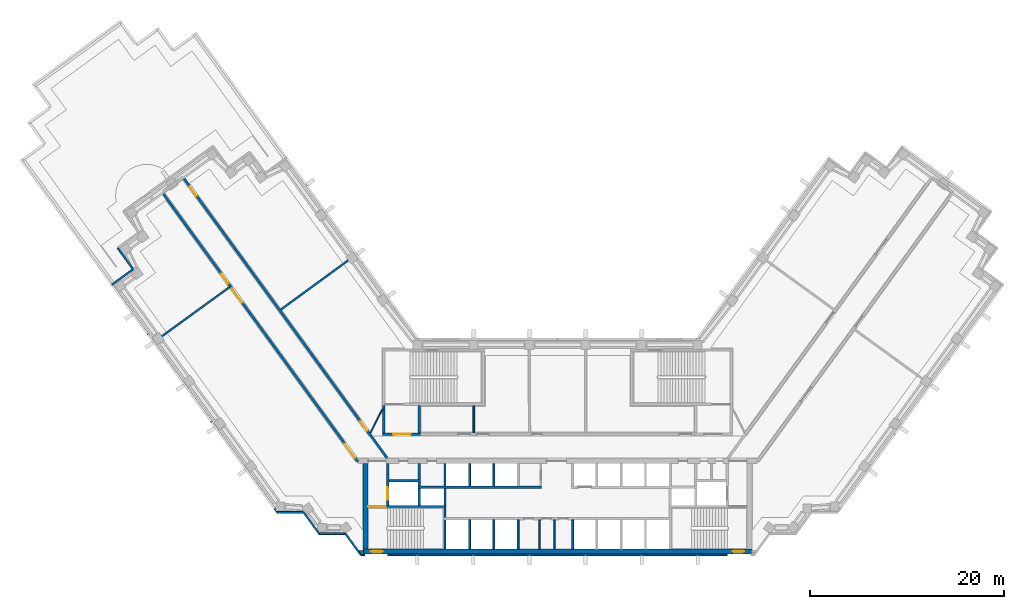
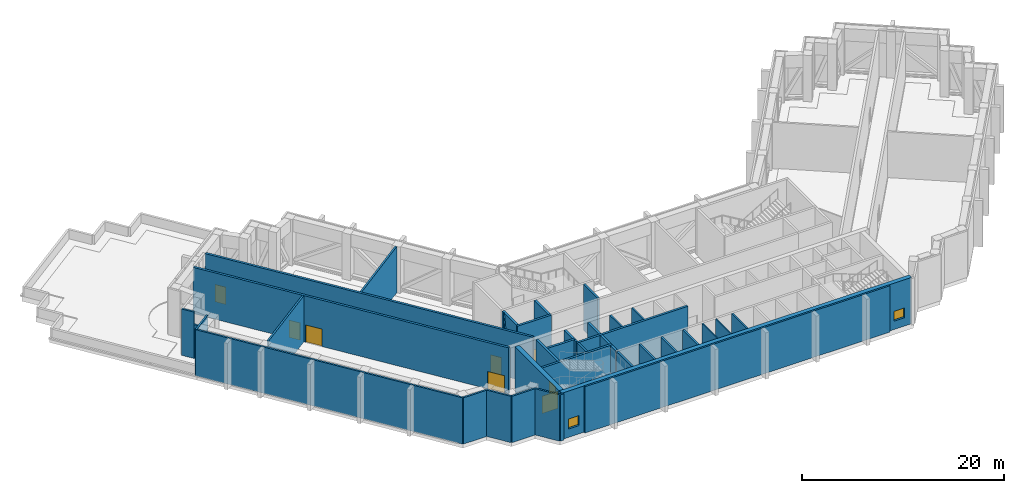
# One storey, part 9 of 16: 41 walls, 8 doors, 2 windows, 10 openings.
"""IFC4 building model written with IfcOpenShell, lengths in metres."""

from ifc_helpers import new_model, si_unit, direction, frame, frame_2d, origin, place, context, subcontext, project, spatial, rectangle, extrude, material, layer, layer_set, type_object, element, fill, save


model = new_model("IFC4")

# Units and contexts
model_context = context("Model", 3, precision=1e-05, world=origin(), true_north=direction((0.0, 1.0)))
body_context = subcontext(model_context, "Body", "Model", "MODEL_VIEW")
ifc_project = project(units=[si_unit("LENGTHUNIT", "METRE"), si_unit("AREAUNIT", "SQUARE_METRE"), si_unit("VOLUMEUNIT", "CUBIC_METRE"), si_unit("PLANEANGLEUNIT", "RADIAN"), si_unit("MASSUNIT", "GRAM", prefix="KILO")], contexts=[model_context])

# Site, building, storey
site_placement = place(None, origin())
site = spatial("IfcSite", under=ifc_project, at=site_placement, CompositionType="ELEMENT")
building_placement = place(site_placement, origin())
building = spatial("IfcBuilding", under=site, at=building_placement, Name="Quipu Civic Tower", CompositionType="ELEMENT")
storey_placement = place(building_placement, frame((0.0, 0.0, 133.0)))
storey = spatial("IfcBuildingStorey", under=building, at=storey_placement, Name="L31", CompositionType="ELEMENT", Elevation=133.0)

# Walls
ifc_material_1 = material(Name="Fired clay blockwork", Category="masonry")
ifc_layer_1 = layer(ifc_material_1, 0.199951171875)
ifc_layer_set_1 = layer_set([ifc_layer_1], Name="Fired clay blockwork")
wall_type_1 = type_object("IfcWallType", Name="Blockwork wall 200", PredefinedType="SOLIDWALL", material=ifc_layer_set_1)
wall_1_placement = place(storey_placement, frame((-28.468994140625, 14.1240234375, 0.0), z_axis=(0.0, 0.0, 1.0), x_axis=(0.807513406154, 0.589849217074, 0.0)))
element("IfcWall", 1, at=wall_1_placement, inside=storey, type_object=wall_type_1, Name="Partition P02", PredefinedType="SOLIDWALL", context=body_context, shape_type="SweptSolid", body=[
    extrude(rectangle(XDim=8.59521484375, YDim=0.199951171875, at=frame_2d((4.297607421875, 0.0))), origin(), (0.0, 0.0, 1.0), 5.60009765625),
])
wall_2_placement = place(storey_placement, frame((-33.7373046875, 16.44091796875, 0.0), z_axis=(0.0, 0.0, 1.0), x_axis=(-0.80896572488, -0.587855812227, 0.0)))
element("IfcWall", 2, at=wall_2_placement, inside=storey, type_object=wall_type_1, Name="Partition P04", PredefinedType="SOLIDWALL", context=body_context, shape_type="SweptSolid", body=[
    extrude(rectangle(XDim=8.5947265625, YDim=0.199951171875, at=frame_2d((4.29736328125, 0.0))), origin(), (0.0, 0.0, 1.0), 5.60009765625),
])
wall_3_placement = place(storey_placement, frame((-8.616943359375, 4.25, 0.0), z_axis=(0.0, 0.0, 1.0), x_axis=(0.0, -1.0, 0.0)))
element("IfcWall", 3, at=wall_3_placement, inside=storey, type_object=wall_type_1, Name="Partition P05", PredefinedType="SOLIDWALL", context=body_context, shape_type="SweptSolid", body=[
    extrude(rectangle(XDim=2.800048828125, YDim=0.199951171875, at=frame_2d((1.39990234375, 0.0))), origin(), (0.0, 0.0, 1.0), 5.60009765625),
])
ifc_material_2 = material(Name="Concrete C70/85", Category="concrete")
ifc_layer_2 = layer(ifc_material_2, 0.25)
ifc_layer_set_2 = layer_set([ifc_layer_2], Name="Concrete C70/85")
wall_type_2 = type_object("IfcWallType", Name="Core wall 250", PredefinedType="SHEAR", material=ifc_layer_set_2)
wall_4_placement = place(storey_placement, frame((-11.574951171875, -10.5, 0.0), z_axis=(0.0, 0.0, 1.0), x_axis=(0.0, 1.0, 0.0)))
element("IfcWall", 4, at=wall_4_placement, inside=storey, type_object=wall_type_2, Name="Core wall", PredefinedType="SHEAR", context=body_context, shape_type="SweptSolid", body=[
    extrude(rectangle(XDim=3.0, YDim=0.25, at=frame_2d((1.5, 0.0))), origin(), (0.0, 0.0, 1.0), 5.60009765625),
])
wall_5_placement = place(storey_placement, frame((-11.574951171875, -7.25, 0.0), z_axis=(0.0, 0.0, 1.0), x_axis=(0.0, 1.0, 0.0)))
element("IfcWall", 5, at=wall_5_placement, inside=storey, type_object=wall_type_2, Name="Core wall", PredefinedType="SHEAR", context=body_context, shape_type="SweptSolid", body=[
    extrude(rectangle(XDim=1.0, YDim=0.25, at=frame_2d((0.5, 0.0))), origin(), (0.0, 0.0, 1.0), 5.60009765625),
])

# Wall, opening, door
wall_6_placement = place(storey_placement, frame((-11.449951171875, -6.125, 0.0), z_axis=(0.0, 0.0, 1.0), x_axis=(-1.0, 0.0, 0.0)))
wall_6 = element("IfcWall", 6, at=wall_6_placement, inside=storey, type_object=wall_type_2, Name="Core wall", PredefinedType="SHEAR", context=body_context, shape_type="SweptSolid", body=[
    extrude(rectangle(XDim=8.050048828125, YDim=0.25, at=frame_2d((4.02490234375, 0.0))), origin(), (0.0, 0.0, 1.0), 5.60009765625),
])
opening_1_placement = place(wall_6_placement, frame((6.199951171875, 0.0, 0.0)))
opening_1 = element("IfcOpeningElement", 7, at=opening_1_placement, cuts=wall_6, Name="Opening CD-04", PredefinedType="OPENING", context=body_context, shape_type="SweptSolid", body=[
    extrude(rectangle(XDim=1.800048828125, YDim=2.10009765625, at=frame_2d((0.89990234375, 1.050048828125))), frame((0.0, 0.135009765625, 0.0), z_axis=(0.0, -1.0, 0.0), x_axis=(1.0, 0.0, 0.0)), (0.0, 0.0, 1.0), 0.27001953125),
])
ifc_material_3 = material(Name="Fire rated steel door", Category="steel")
door_type_1 = type_object("IfcDoorType", Name="Fire door FD90 double 1800 x 2100", OperationType="NOTDEFINED", PredefinedType="DOOR", material=ifc_material_3)
door_1_placement = place(opening_1_placement, origin())
door_1 = element("IfcDoor", 8, at=door_1_placement, inside=storey, type_object=door_type_1, Name="Door", OperationType="DOUBLE_DOOR_SINGLE_SWING", OverallHeight=2.10009765625, OverallWidth=1.800048828125, PredefinedType="DOOR", context=body_context, shape_type="SweptSolid", body=[
    extrude(rectangle(XDim=1.800048828125, YDim=2.10009765625, at=frame_2d((0.89990234375, 1.050048828125))), frame((0.0, 0.02490234375, 0.0), z_axis=(0.0, -1.0, 0.0), x_axis=(1.0, 0.0, 0.0)), (0.0, 0.0, 1.0), 0.050048828125),
])
fill(opening_1, door_1)

wall_7_placement = place(storey_placement, frame((-17.47509765625, -6.0, 0.0), z_axis=(0.0, 0.0, 1.0), x_axis=(0.0, 1.0, 0.0)))
wall_7 = element("IfcWall", 9, at=wall_7_placement, inside=storey, type_object=wall_type_2, Name="Core wall", PredefinedType="SHEAR", context=body_context, shape_type="SweptSolid", body=[
    extrude(rectangle(XDim=4.300048828125, YDim=0.25, at=frame_2d((2.14990234375, 0.0))), origin(), (0.0, 0.0, 1.0), 5.60009765625),
])
opening_2_placement = place(wall_7_placement, frame((0.550048828125, 0.0, 0.0)))
opening_2 = element("IfcOpeningElement", 10, at=opening_2_placement, cuts=wall_7, Name="Opening LD-FF1", PredefinedType="OPENING", context=body_context, shape_type="SweptSolid", body=[
    extrude(rectangle(XDim=1.300048828125, YDim=2.10009765625, at=frame_2d((0.64990234375, 1.050048828125))), frame((0.0, 0.135009765625, 0.0), z_axis=(0.0, -1.0, 0.0), x_axis=(1.0, 0.0, 0.0)), (0.0, 0.0, 1.0), 0.27001953125),
])
ifc_material_4 = material(Name="Stainless steel", Category="steel")
door_type_2 = type_object("IfcDoorType", Name="Lift landing door 1300 x 2100", OperationType="DOUBLE_DOOR_SLIDING", PredefinedType="DOOR", material=ifc_material_4)
door_2_placement = place(opening_2_placement, origin())
door_2 = element("IfcDoor", 11, at=door_2_placement, inside=storey, type_object=door_type_2, Name="Landing door FF1", OperationType="DOUBLE_DOOR_SLIDING", OverallHeight=2.10009765625, OverallWidth=1.300048828125, PredefinedType="DOOR", context=body_context, shape_type="SweptSolid", body=[
    extrude(rectangle(XDim=1.300048828125, YDim=2.10009765625, at=frame_2d((0.64990234375, 1.050048828125))), frame((0.0, 0.02490234375, 0.0), z_axis=(0.0, -1.0, 0.0), x_axis=(1.0, 0.0, 0.0)), (0.0, 0.0, 1.0), 0.050048828125),
])
fill(opening_2, door_2)

# Walls
for number, where, z_axis, x_axis, name in (
    (12, (-14.22509765625, -6.0, 0.0), (0.0, 0.0, 1.0), (0.0, 1.0, 0.0), "Core wall"),
    (13, (-11.574951171875, -6.0, 0.0), (0.0, 0.0, 1.0), (0.0, 1.0, 0.0), "Core wall"),
):
    element("IfcWall", number, at=place(storey_placement, frame(where, z_axis=z_axis, x_axis=x_axis)), inside=storey, type_object=wall_type_2, Name=name, PredefinedType="SHEAR", context=body_context, shape_type="SweptSolid", body=[
        extrude(rectangle(XDim=1.75, YDim=0.25, at=frame_2d((0.875, 0.0))), origin(), (0.0, 0.0, 1.0), 5.60009765625),
    ])
wall_8_placement = place(storey_placement, frame((-14.35009765625, -4.125, 0.0), z_axis=(0.0, 0.0, 1.0), x_axis=(1.0, 0.0, 0.0)))
element("IfcWall", 14, at=wall_8_placement, inside=storey, type_object=wall_type_2, Name="Core wall", PredefinedType="SHEAR", context=body_context, shape_type="SweptSolid", body=[
    extrude(rectangle(XDim=12.7001953125, YDim=0.25, at=frame_2d((6.35009765625, 0.0))), origin(), (0.0, 0.0, 1.0), 5.60009765625),
])
wall_9_placement = place(storey_placement, frame((-14.22509765625, -4.0, 0.0), z_axis=(0.0, 0.0, 1.0), x_axis=(0.0, 1.0, 0.0)))
element("IfcWall", 15, at=wall_9_placement, inside=storey, type_object=wall_type_2, Name="Core wall", PredefinedType="SHEAR", context=body_context, shape_type="SweptSolid", body=[
    extrude(rectangle(XDim=0.39990234375, YDim=0.25, at=frame_2d((0.199951171875, 0.0))), origin(), (0.0, 0.0, 1.0), 5.60009765625),
])
wall_10_placement = place(storey_placement, frame((-11.574951171875, -4.0, 0.0), z_axis=(0.0, 0.0, 1.0), x_axis=(0.0, 1.0, 0.0)))
element("IfcWall", 16, at=wall_10_placement, inside=storey, type_object=wall_type_2, Name="Core wall", PredefinedType="SHEAR", context=body_context, shape_type="SweptSolid", body=[
    extrude(rectangle(XDim=2.300048828125, YDim=0.25, at=frame_2d((1.14990234375, 0.0))), origin(), (0.0, 0.0, 1.0), 5.60009765625),
])
wall_11_placement = place(storey_placement, frame((-17.35009765625, -3.47509765625, 0.0), z_axis=(0.0, 0.0, 1.0), x_axis=(1.0, 0.0, 0.0)))
element("IfcWall", 17, at=wall_11_placement, inside=storey, type_object=wall_type_2, Name="Core wall", PredefinedType="SHEAR", context=body_context, shape_type="SweptSolid", body=[
    extrude(rectangle(XDim=3.25, YDim=0.25, at=frame_2d((1.625, 0.0))), origin(), (0.0, 0.0, 1.0), 5.60009765625),
])
wall_12_placement = place(storey_placement, frame((-14.22509765625, -3.35009765625, 0.0), z_axis=(0.0, 0.0, 1.0), x_axis=(0.0, 1.0, 0.0)))
element("IfcWall", 18, at=wall_12_placement, inside=storey, type_object=wall_type_2, Name="Core wall", PredefinedType="SHEAR", context=body_context, shape_type="SweptSolid", body=[
    extrude(rectangle(XDim=1.650146484375, YDim=0.25, at=frame_2d((0.8251953125, 0.0))), origin(), (0.0, 0.0, 1.0), 5.60009765625),
])

# Wall, opening, door
wall_13_placement = place(storey_placement, frame((-18.0, 1.324951171875, 0.0), z_axis=(0.0, 0.0, 1.0), x_axis=(1.0, 0.0, 0.0)))
wall_13 = element("IfcWall", 19, at=wall_13_placement, inside=storey, type_object=wall_type_2, Name="Core wall", PredefinedType="SHEAR", context=body_context, shape_type="SweptSolid", body=[
    extrude(rectangle(XDim=3.89990234375, YDim=0.25, at=frame_2d((1.949951171875, 0.0))), origin(), (0.0, 0.0, 1.0), 5.60009765625),
])
opening_3_placement = place(wall_13_placement, frame((1.10009765625, 0.0, 0.0)))
opening_3 = element("IfcOpeningElement", 20, at=opening_3_placement, cuts=wall_13, Name="Opening CD-15", PredefinedType="OPENING", context=body_context, shape_type="SweptSolid", body=[
    extrude(rectangle(XDim=1.800048828125, YDim=2.10009765625, at=frame_2d((0.89990234375, 1.050048828125))), frame((0.0, 0.135009765625, 0.0), z_axis=(0.0, -1.0, 0.0), x_axis=(1.0, 0.0, 0.0)), (0.0, 0.0, 1.0), 0.27001953125),
])
door_3_placement = place(opening_3_placement, origin())
door_3 = element("IfcDoor", 21, at=door_3_placement, inside=storey, type_object=door_type_1, Name="Lobby door", OperationType="DOUBLE_DOOR_SINGLE_SWING", OverallHeight=2.10009765625, OverallWidth=1.800048828125, PredefinedType="DOOR", context=body_context, shape_type="SweptSolid", body=[
    extrude(rectangle(XDim=1.800048828125, YDim=2.10009765625, at=frame_2d((0.89990234375, 1.050048828125))), frame((0.0, 0.02490234375, 0.0), z_axis=(0.0, -1.0, 0.0), x_axis=(1.0, 0.0, 0.0)), (0.0, 0.0, 1.0), 0.050048828125),
])
fill(opening_3, door_3)

# Walls
for number, where, z_axis, x_axis, name in (
    (22, (-17.875, 1.449951171875, 0.0), (0.0, 0.0, 1.0), (0.0, 1.0, 0.0), "Core wall"),
    (23, (-14.22509765625, 1.449951171875, 0.0), (0.0, 0.0, 1.0), (0.0, 1.0, 0.0), "Core wall"),
):
    element("IfcWall", number, at=place(storey_placement, frame(where, z_axis=z_axis, x_axis=x_axis)), inside=storey, type_object=wall_type_2, Name=name, PredefinedType="SHEAR", context=body_context, shape_type="SweptSolid", body=[
        extrude(rectangle(XDim=2.800048828125, YDim=0.25, at=frame_2d((1.39990234375, 0.0))), origin(), (0.0, 0.0, 1.0), 5.60009765625),
    ])

# Wall, openings, windows
ifc_material_5 = material(Name="Concrete C70/85", Category="concrete")
ifc_layer_3 = layer(ifc_material_5, 0.5)
ifc_layer_set_3 = layer_set([ifc_layer_3], Name="Concrete C70/85")
wall_type_3 = type_object("IfcWallType", Name="Core wall 500", PredefinedType="SHEAR", material=ifc_layer_set_3)
wall_14_placement = place(storey_placement, frame((-20.0, -10.75, 0.0), z_axis=(0.0, 0.0, 1.0), x_axis=(1.0, 0.0, 0.0)))
wall_14 = element("IfcWall", 24, at=wall_14_placement, inside=storey, type_object=wall_type_3, Name="Core wall", PredefinedType="SHEAR", context=body_context, shape_type="SweptSolid", body=[
    extrude(rectangle(XDim=40.0, YDim=0.5, at=frame_2d((20.0, 0.0))), origin(), (0.0, 0.0, 1.0), 5.60009765625),
])
opening_4_placement = place(wall_14_placement, frame((0.800048828125, 0.0, 1.0)))
opening_4 = element("IfcOpeningElement", 25, at=opening_4_placement, cuts=wall_14, Name="Opening SV-1", PredefinedType="OPENING", context=body_context, shape_type="SweptSolid", body=[
    extrude(rectangle(XDim=1.199951171875, YDim=1.199951171875, at=frame_2d((0.60009765625, 0.60009765625))), frame((0.0, 0.260009765625, 0.0), z_axis=(0.0, -1.0, 0.0), x_axis=(1.0, 0.0, 0.0)), (0.0, 0.0, 1.0), 0.52001953125),
])
opening_5_placement = place(wall_14_placement, frame((38.0, 0.0, 1.0)))
opening_5 = element("IfcOpeningElement", 26, at=opening_5_placement, cuts=wall_14, Name="Opening SV-2", PredefinedType="OPENING", context=body_context, shape_type="SweptSolid", body=[
    extrude(rectangle(XDim=1.199951171875, YDim=1.199951171875, at=frame_2d((0.60009765625, 0.60009765625))), frame((0.0, 0.260009765625, 0.0), z_axis=(0.0, -1.0, 0.0), x_axis=(1.0, 0.0, 0.0)), (0.0, 0.0, 1.0), 0.52001953125),
])
ifc_material_6 = material(Name="Aluminium louvre", Category="aluminium")
window_type = type_object("IfcWindowType", Name="Stair ventilation louvre 1200 x 1200", PartitioningType="SINGLE_PANEL", PredefinedType="WINDOW", material=ifc_material_6)
window_1_placement = place(opening_4_placement, origin())
window_1 = element("IfcWindow", 27, at=window_1_placement, inside=storey, type_object=window_type, Name="Stair ventilation opening", OverallHeight=1.199951171875, OverallWidth=1.199951171875, PartitioningType="SINGLE_PANEL", PredefinedType="WINDOW", context=body_context, shape_type="SweptSolid", body=[
    extrude(rectangle(XDim=1.199951171875, YDim=1.199951171875, at=frame_2d((0.60009765625, 0.60009765625))), frame((0.0, 0.030029296875, 0.0), z_axis=(0.0, -1.0, 0.0), x_axis=(1.0, 0.0, 0.0)), (0.0, 0.0, 1.0), 0.06005859375),
])
fill(opening_4, window_1)
window_2_placement = place(opening_5_placement, origin())
window_2 = element("IfcWindow", 28, at=window_2_placement, inside=storey, type_object=window_type, Name="Stair ventilation opening", OverallHeight=1.199951171875, OverallWidth=1.199951171875, PartitioningType="SINGLE_PANEL", PredefinedType="WINDOW", context=body_context, shape_type="SweptSolid", body=[
    extrude(rectangle(XDim=1.199951171875, YDim=1.199951171875, at=frame_2d((0.60009765625, 0.60009765625))), frame((0.0, 0.030029296875, 0.0), z_axis=(0.0, -1.0, 0.0), x_axis=(1.0, 0.0, 0.0)), (0.0, 0.0, 1.0), 0.06005859375),
])
fill(opening_5, window_2)

# Wall
wall_15_placement = place(storey_placement, frame((-19.75, -10.5, 0.0), z_axis=(0.0, 0.0, 1.0), x_axis=(0.0, 1.0, 0.0)))
element("IfcWall", 29, at=wall_15_placement, inside=storey, type_object=wall_type_3, Name="Core wall", PredefinedType="SHEAR", context=body_context, shape_type="SweptSolid", body=[
    extrude(rectangle(XDim=8.800048828125, YDim=0.5, at=frame_2d((4.39990234375, 0.0))), origin(), (0.0, 0.0, 1.0), 5.60009765625),
])

# Wall, openings, doors
ifc_material_7 = material(Name="Concrete C50/60", Category="concrete")
ifc_layer_4 = layer(ifc_material_7, 0.25)
ifc_layer_set_4 = layer_set([ifc_layer_4], Name="Concrete C50/60")
wall_type_4 = type_object("IfcWallType", Name="Corridor wall 250 concrete", PredefinedType="SOLIDWALL", material=ifc_layer_set_4)
wall_16_placement = place(storey_placement, frame((-20.531005859375, -1.5234375, 0.0), z_axis=(0.0, 0.0, 1.0), x_axis=(-0.587786778139, 0.80901588578, 0.0)))
wall_16 = element("IfcWall", 30, at=wall_16_placement, inside=storey, type_object=wall_type_4, Name="Corridor wall C03", PredefinedType="SOLIDWALL", context=body_context, shape_type="SweptSolid", body=[
    extrude(rectangle(XDim=34.211669921875, YDim=0.25, at=frame_2d((17.10595703125, 0.0))), origin(), (0.0, 0.0, 1.0), 5.60009765625),
])
opening_6_placement = place(wall_16_placement, frame((20.216064453125, 0.0, 0.0)))
opening_6 = element("IfcOpeningElement", 31, at=opening_6_placement, cuts=wall_16, Name="Opening D012", PredefinedType="OPENING", context=body_context, shape_type="SweptSolid", body=[
    extrude(rectangle(XDim=1.800048828125, YDim=2.10009765625, at=frame_2d((0.89990234375, 1.050048828125))), frame((0.0, 0.135009765625, 0.0), z_axis=(0.0, -1.0, 0.0), x_axis=(1.0, 0.0, 0.0)), (0.0, 0.0, 1.0), 0.27001953125),
])
opening_7_placement = place(wall_16_placement, frame((0.483154296875, 0.0, 0.0)))
opening_7 = element("IfcOpeningElement", 32, at=opening_7_placement, cuts=wall_16, Name="Opening D013", PredefinedType="OPENING", context=body_context, shape_type="SweptSolid", body=[
    extrude(rectangle(XDim=1.800048828125, YDim=2.10009765625, at=frame_2d((0.89990234375, 1.050048828125))), frame((0.0, 0.135009765625, 0.0), z_axis=(0.0, -1.0, 0.0), x_axis=(1.0, 0.0, 0.0)), (0.0, 0.0, 1.0), 0.27001953125),
])
opening_8_placement = place(wall_16_placement, frame((22.665283203125, 0.0, 0.0)))
opening_8 = element("IfcOpeningElement", 33, at=opening_8_placement, cuts=wall_16, Name="Opening D011", PredefinedType="OPENING", context=body_context, shape_type="SweptSolid", body=[
    extrude(rectangle(XDim=1.199951171875, YDim=2.10009765625, at=frame_2d((0.60009765625, 1.050048828125))), frame((0.0, 0.135009765625, 0.0), z_axis=(0.0, -1.0, 0.0), x_axis=(1.0, 0.0, 0.0)), (0.0, 0.0, 1.0), 0.27001953125),
])
ifc_material_8 = material(Name="Fire rated timber door set with metal frame", Category="wood")
door_type_3 = type_object("IfcDoorType", Name="Double door 1800 x 2100 FD60", OperationType="DOUBLE_DOOR_SINGLE_SWING", PredefinedType="DOOR", material=ifc_material_8)
door_4_placement = place(opening_6_placement, origin())
door_4 = element("IfcDoor", 34, at=door_4_placement, inside=storey, type_object=door_type_3, Name="Door D012", OperationType="DOUBLE_DOOR_SINGLE_SWING", OverallHeight=2.10009765625, OverallWidth=1.800048828125, PredefinedType="DOOR", context=body_context, shape_type="SweptSolid", body=[
    extrude(rectangle(XDim=1.800048828125, YDim=2.10009765625, at=frame_2d((0.89990234375, 1.050048828125))), frame((0.0, 0.02490234375, 0.0), z_axis=(0.0, -1.0, 0.0), x_axis=(1.0, 0.0, 0.0)), (0.0, 0.0, 1.0), 0.050048828125),
])
fill(opening_6, door_4)
door_5_placement = place(opening_7_placement, origin())
door_5 = element("IfcDoor", 35, at=door_5_placement, inside=storey, type_object=door_type_3, Name="Door D013", OperationType="DOUBLE_DOOR_SINGLE_SWING", OverallHeight=2.10009765625, OverallWidth=1.800048828125, PredefinedType="DOOR", context=body_context, shape_type="SweptSolid", body=[
    extrude(rectangle(XDim=1.800048828125, YDim=2.10009765625, at=frame_2d((0.89990234375, 1.050048828125))), frame((0.0, 0.02490234375, 0.0), z_axis=(0.0, -1.0, 0.0), x_axis=(1.0, 0.0, 0.0)), (0.0, 0.0, 1.0), 0.050048828125),
])
fill(opening_7, door_5)
ifc_material_9 = material(Name="Fire rated timber door set with metal frame", Category="wood")
door_type_4 = type_object("IfcDoorType", Name="Single door 1200 x 2100 FD60", OperationType="NOTDEFINED", PredefinedType="DOOR", material=ifc_material_9)
door_6_placement = place(opening_8_placement, origin())
door_6 = element("IfcDoor", 36, at=door_6_placement, inside=storey, type_object=door_type_4, Name="Door D011", OperationType="SINGLE_SWING_LEFT", OverallHeight=2.10009765625, OverallWidth=1.199951171875, PredefinedType="DOOR", context=body_context, shape_type="SweptSolid", body=[
    extrude(rectangle(XDim=1.199951171875, YDim=2.10009765625, at=frame_2d((0.60009765625, 1.050048828125))), frame((0.0, 0.02490234375, 0.0), z_axis=(0.0, -1.0, 0.0), x_axis=(1.0, 0.0, 0.0)), (0.0, 0.0, 1.0), 0.050048828125),
])
fill(opening_8, door_6)

wall_17_placement = place(storey_placement, frame((-38.4404296875, 27.63525390625, 0.0), z_axis=(0.0, 0.0, 1.0), x_axis=(0.587787785895, -0.809015153599, 0.0)))
wall_17 = element("IfcWall", 37, at=wall_17_placement, inside=storey, type_object=wall_type_4, Name="Corridor wall C05", PredefinedType="SOLIDWALL", context=body_context, shape_type="SweptSolid", body=[
    extrude(rectangle(XDim=35.54931640625, YDim=0.25, at=frame_2d((17.774658203125, 0.0))), origin(), (0.0, 0.0, 1.0), 5.60009765625),
])
opening_9_placement = place(wall_17_placement, frame((1.0458984375, 0.0, 0.0)))
opening_9 = element("IfcOpeningElement", 38, at=opening_9_placement, cuts=wall_17, Name="Opening D009", PredefinedType="OPENING", context=body_context, shape_type="SweptSolid", body=[
    extrude(rectangle(XDim=1.199951171875, YDim=2.10009765625, at=frame_2d((0.60009765625, 1.050048828125))), frame((0.0, 0.135009765625, 0.0), z_axis=(0.0, -1.0, 0.0), x_axis=(1.0, 0.0, 0.0)), (0.0, 0.0, 1.0), 0.27001953125),
])
opening_10_placement = place(wall_17_placement, frame((30.906982421875, 0.0, 0.0)))
opening_10 = element("IfcOpeningElement", 39, at=opening_10_placement, cuts=wall_17, Name="Opening D010", PredefinedType="OPENING", context=body_context, shape_type="SweptSolid", body=[
    extrude(rectangle(XDim=1.199951171875, YDim=2.10009765625, at=frame_2d((0.60009765625, 1.050048828125))), frame((0.0, 0.135009765625, 0.0), z_axis=(0.0, -1.0, 0.0), x_axis=(1.0, 0.0, 0.0)), (0.0, 0.0, 1.0), 0.27001953125),
])
door_7_placement = place(opening_9_placement, origin())
door_7 = element("IfcDoor", 40, at=door_7_placement, inside=storey, type_object=door_type_4, Name="Door D009", OperationType="SINGLE_SWING_LEFT", OverallHeight=2.10009765625, OverallWidth=1.199951171875, PredefinedType="DOOR", context=body_context, shape_type="SweptSolid", body=[
    extrude(rectangle(XDim=1.199951171875, YDim=2.10009765625, at=frame_2d((0.60009765625, 1.050048828125))), frame((0.0, 0.02490234375, 0.0), z_axis=(0.0, -1.0, 0.0), x_axis=(1.0, 0.0, 0.0)), (0.0, 0.0, 1.0), 0.050048828125),
])
fill(opening_9, door_7)
door_8_placement = place(opening_10_placement, origin())
door_8 = element("IfcDoor", 41, at=door_8_placement, inside=storey, type_object=door_type_4, Name="Door D010", OperationType="SINGLE_SWING_RIGHT", OverallHeight=2.10009765625, OverallWidth=1.199951171875, PredefinedType="DOOR", context=body_context, shape_type="SweptSolid", body=[
    extrude(rectangle(XDim=1.199951171875, YDim=2.10009765625, at=frame_2d((0.60009765625, 1.050048828125))), frame((0.0, 0.02490234375, 0.0), z_axis=(0.0, -1.0, 0.0), x_axis=(1.0, 0.0, 0.0)), (0.0, 0.0, 1.0), 0.050048828125),
])
fill(opening_10, door_8)

# Walls
ifc_material_10 = material(Name="Gypsum plasterboard on light gauge framing")
ifc_layer_5 = layer(ifc_material_10, 0.1201171875)
ifc_layer_set_5 = layer_set([ifc_layer_5], Name="Gypsum plasterboard on light gauge framing")
wall_type_5 = type_object("IfcWallType", Name="Partition 120 plasterboard", PredefinedType="PARTITIONING", material=ifc_layer_set_5)
wall_18_placement = place(storey_placement, frame((-19.260986328125, 1.449951171875, 0.0), z_axis=(0.0, 0.0, 1.0), x_axis=(0.453950796792, 0.891026752736, 0.0)))
element("IfcWall", 42, at=wall_18_placement, inside=storey, type_object=wall_type_5, Name="Partition P09", PredefinedType="PARTITIONING", context=body_context, shape_type="SweptSolid", body=[
    extrude(rectangle(XDim=2.77783203125, YDim=0.1201171875, at=frame_2d((1.388916015625, 0.0))), origin(), (0.0, 0.0, 1.0), 5.60009765625),
])
ifc_material_11 = material(Name="Gypsum board partition")
ifc_layer_6 = layer(ifc_material_11, 0.14990234375)
ifc_layer_set_6 = layer_set([ifc_layer_6], Name="Gypsum board partition")
wall_type_6 = type_object("IfcWallType", Name="Partition 150", PredefinedType="PARTITIONING", material=ifc_layer_set_6)
for number, where, z_axis, x_axis, name in (
    (43, (-1.875, -10.5, 0.0), (0.0, 0.0, 1.0), (0.0, 1.0, 0.0), "Partition"),
    (44, (-0.324951171875, -10.5, 0.0), (0.0, 0.0, 1.0), (0.0, 1.0, 0.0), "Partition"),
):
    element("IfcWall", number, at=place(storey_placement, frame(where, z_axis=z_axis, x_axis=x_axis)), inside=storey, type_object=wall_type_6, Name=name, PredefinedType="PARTITIONING", context=body_context, shape_type="SweptSolid", body=[
        extrude(rectangle(XDim=3.0, YDim=0.14990234375, at=frame_2d((1.5, 0.0))), origin(), (0.0, 0.0, 1.0), 5.60009765625),
    ])
ifc_material_12 = material(Name="Precast concrete C40/50", Category="concrete")
wall_type_7 = type_object("IfcWallType", Name="Precast cladding wall", PredefinedType="SOLIDWALL", material=ifc_material_12)
wall_19_placement = place(storey_placement, frame((-45.242431640625, 20.472900390625, 0.0), z_axis=(0.0, 0.0, 1.0), x_axis=(0.587652369972, -0.809113522361, 0.0)))
element("IfcWall", 45, at=wall_19_placement, inside=storey, type_object=wall_type_7, Name="Precast cladding wall L31 11", PredefinedType="SOLIDWALL", context=body_context, shape_type="SweptSolid", body=[
    extrude(rectangle(XDim=1.31396484375, YDim=0.199951171875, at=frame_2d((0.656982421875, 0.0))), origin(), (0.0, 0.0, 1.0), 5.60009765625),
])
wall_20_placement = place(storey_placement, frame((-44.47021484375, 19.40966796875, 0.0), z_axis=(0.0, 0.0, 1.0), x_axis=(0.58786788786, -0.808956949672, 0.0)))
element("IfcWall", 46, at=wall_20_placement, inside=storey, type_object=wall_type_7, Name="Precast cladding wall L31 11 a", PredefinedType="SOLIDWALL", context=body_context, shape_type="SweptSolid", body=[
    extrude(rectangle(XDim=1.3857421875, YDim=0.199951171875, at=frame_2d((0.69287109375, 0.0))), origin(), (0.0, 0.0, 1.0), 4.10009765625),
])
wall_21_placement = place(storey_placement, frame((-43.658203125, 18.271728515625, 0.0), z_axis=(0.0, 0.0, 1.0), x_axis=(-0.808958916286, -0.58786518162, 0.0)))
element("IfcWall", 47, at=wall_21_placement, inside=storey, type_object=wall_type_7, Name="Precast cladding wall L31 12", PredefinedType="SOLIDWALL", context=body_context, shape_type="SweptSolid", body=[
    extrude(rectangle(XDim=2.699951171875, YDim=0.199951171875, at=frame_2d((1.35009765625, 0.0))), origin(), (0.0, 0.0, 1.0), 5.60009765625),
])
wall_22_placement = place(storey_placement, frame((-45.83984375, 16.701416015625, 0.0), z_axis=(0.0, 0.0, 1.0), x_axis=(0.587788110303, -0.809014917901, 0.0)))
element("IfcWall", 48, at=wall_22_placement, inside=storey, type_object=wall_type_7, Name="Precast cladding wall L31 13", PredefinedType="SOLIDWALL", context=body_context, shape_type="SweptSolid", body=[
    extrude(rectangle(XDim=28.95556640625, YDim=0.199951171875, at=frame_2d((14.477783203125, 0.0))), origin(), (0.0, 0.0, 1.0), 5.60009765625),
])
wall_23_placement = place(storey_placement, frame((-28.829833984375, -6.71923828125, 0.0), z_axis=(0.0, 0.0, 1.0), x_axis=(1.0, 0.0, 0.0)))
element("IfcWall", 49, at=wall_23_placement, inside=storey, type_object=wall_type_7, Name="Precast cladding wall L31 14", PredefinedType="SOLIDWALL", context=body_context, shape_type="SweptSolid", body=[
    extrude(rectangle(XDim=2.699951171875, YDim=0.199951171875, at=frame_2d((1.35009765625, 0.0))), origin(), (0.0, 0.0, 1.0), 5.60009765625),
])
wall_24_placement = place(storey_placement, frame((-26.1201171875, -6.72412109375, 0.0), z_axis=(0.0, 0.0, 1.0), x_axis=(0.587720002413, -0.809064397168, 0.0)))
element("IfcWall", 50, at=wall_24_placement, inside=storey, type_object=wall_type_7, Name="Precast cladding wall L31 15", PredefinedType="SOLIDWALL", context=body_context, shape_type="SweptSolid", body=[
    extrude(rectangle(XDim=2.7001953125, YDim=0.199951171875, at=frame_2d((1.35009765625, 0.0))), origin(), (0.0, 0.0, 1.0), 5.60009765625),
])
wall_25_placement = place(storey_placement, frame((-24.542724609375, -8.90380859375, 0.0), z_axis=(0.0, 0.0, 1.0), x_axis=(1.0, 0.0, 0.0)))
element("IfcWall", 51, at=wall_25_placement, inside=storey, type_object=wall_type_7, Name="Precast cladding wall L31 16", PredefinedType="SOLIDWALL", context=body_context, shape_type="SweptSolid", body=[
    extrude(rectangle(XDim=2.699951171875, YDim=0.199951171875, at=frame_2d((1.35009765625, 0.0))), origin(), (0.0, 0.0, 1.0), 5.60009765625),
])
wall_26_placement = place(storey_placement, frame((-21.8330078125, -8.90869140625, 0.0), z_axis=(0.0, 0.0, 1.0), x_axis=(0.587766567315, -0.809030569476, 0.0)))
element("IfcWall", 52, at=wall_26_placement, inside=storey, type_object=wall_type_7, Name="Precast cladding wall L31 17", PredefinedType="SOLIDWALL", context=body_context, shape_type="SweptSolid", body=[
    extrude(rectangle(XDim=2.687744140625, YDim=0.199951171875, at=frame_2d((1.34375, 0.0))), origin(), (0.0, 0.0, 1.0), 5.60009765625),
])
wall_27_placement = place(storey_placement, frame((-20.255859375, -11.087890625, 0.0), z_axis=(0.0, 0.0, 1.0), x_axis=(1.0, 0.0, 0.0)))
element("IfcWall", 53, at=wall_27_placement, inside=storey, type_object=wall_type_7, Name="Precast cladding wall L31 18", PredefinedType="SOLIDWALL", context=body_context, shape_type="SweptSolid", body=[
    extrude(rectangle(XDim=0.40576171875, YDim=0.199951171875, at=frame_2d((0.202880859375, 0.0))), origin(), (0.0, 0.0, 1.0), 5.60009765625),
])
wall_28_placement = place(storey_placement, frame((-17.44384765625, -11.087890625, 0.0), z_axis=(0.0, 0.0, 1.0), x_axis=(1.0, 0.0, 0.0)))
element("IfcWall", 54, at=wall_28_placement, inside=storey, type_object=wall_type_7, Name="Precast cladding wall L31 19", PredefinedType="SOLIDWALL", context=body_context, shape_type="SweptSolid", body=[
    extrude(rectangle(XDim=34.8876953125, YDim=0.199951171875, at=frame_2d((17.44384765625, 0.0))), origin(), (0.0, 0.0, 1.0), 5.60009765625),
])
wall_29_placement = place(storey_placement, frame((-19.97998046875, -10.75, 0.0), z_axis=(0.0, 0.0, 1.0), x_axis=(-1.0, 0.0, 0.0)))
element("IfcWall", 55, at=wall_29_placement, inside=storey, type_object=wall_type_7, Name="Precast cladding return L31 W", PredefinedType="SOLIDWALL", context=body_context, shape_type="SweptSolid", body=[
    extrude(rectangle(XDim=0.41650390625, YDim=0.199951171875, at=frame_2d((0.208251953125, 0.0))), origin(), (0.0, 0.0, 1.0), 5.60009765625),
])
ifc_material_13 = material(Name="Concrete C40/50", Category="concrete")
ifc_layer_7 = layer(ifc_material_13, 0.199951171875)
ifc_layer_set_7 = layer_set([ifc_layer_7], Name="Concrete C40/50")
wall_type_8 = type_object("IfcWallType", Name="Shaft wall 200", PredefinedType="SOLIDWALL", material=ifc_layer_set_7)
for number, where, z_axis, x_axis, name in (
    (56, (-9.050048828125, -10.5, 0.0), (0.0, 0.0, 1.0), (0.0, 1.0, 0.0), "Shaft wall"),
    (57, (-6.550048828125, -10.5, 0.0), (0.0, 0.0, 1.0), (0.0, 1.0, 0.0), "Shaft wall"),
    (58, (-4.050048828125, -10.5, 0.0), (0.0, 0.0, 1.0), (0.0, 1.0, 0.0), "Shaft wall"),
    (59, (1.550048828125, -10.5, 0.0), (0.0, 0.0, 1.0), (0.0, 1.0, 0.0), "Shaft wall"),
):
    element("IfcWall", number, at=place(storey_placement, frame(where, z_axis=z_axis, x_axis=x_axis)), inside=storey, type_object=wall_type_8, Name=name, PredefinedType="SOLIDWALL", context=body_context, shape_type="SweptSolid", body=[
        extrude(rectangle(XDim=3.0, YDim=0.199951171875, at=frame_2d((1.5, 0.0))), origin(), (0.0, 0.0, 1.0), 5.60009765625),
    ])
for number, where, z_axis, x_axis, name in (
    (60, (-9.050048828125, -4.0, 0.0), (0.0, 0.0, 1.0), (0.0, 1.0, 0.0), "Shaft wall"),
    (61, (-6.550048828125, -4.0, 0.0), (0.0, 0.0, 1.0), (0.0, 1.0, 0.0), "Shaft wall"),
):
    element("IfcWall", number, at=place(storey_placement, frame(where, z_axis=z_axis, x_axis=x_axis)), inside=storey, type_object=wall_type_8, Name=name, PredefinedType="SOLIDWALL", context=body_context, shape_type="SweptSolid", body=[
        extrude(rectangle(XDim=2.300048828125, YDim=0.199951171875, at=frame_2d((1.14990234375, 0.0))), origin(), (0.0, 0.0, 1.0), 5.60009765625),
    ])

save(model, "model.ifc")
